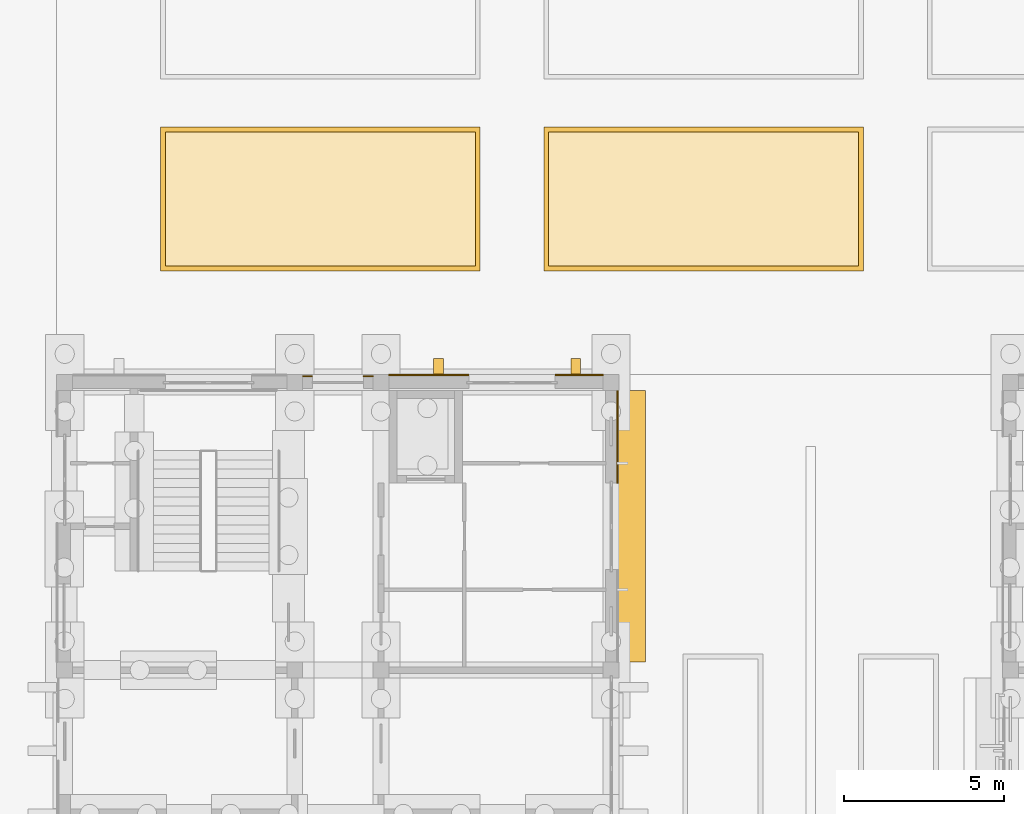
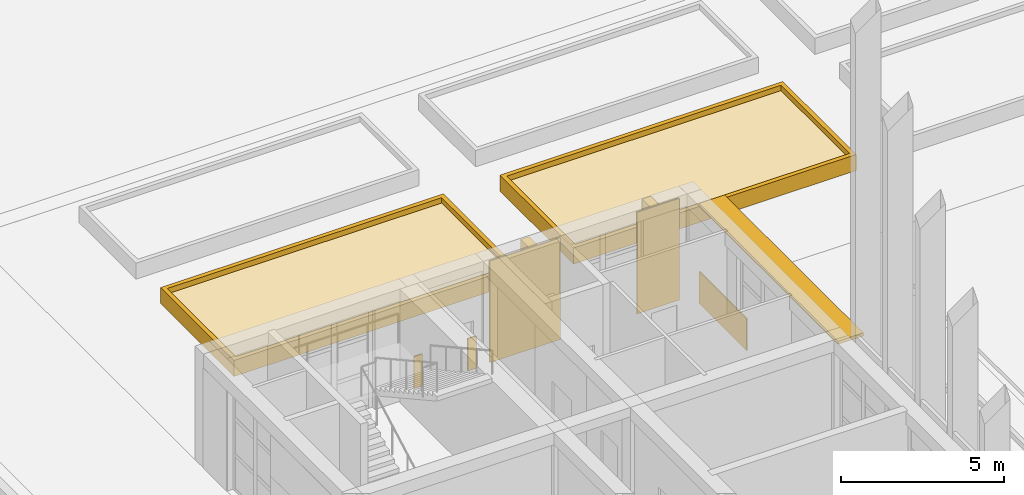
# One storey, part 115 of 161: 11 coverings, 1 shading device.
"""IFC4 building model written with IfcOpenShell, lengths in metres."""

from ifc_helpers import new_model, si_unit, direction, frame, origin, origin_2d, place, context, subcontext, project, spatial, polyline, rectangle, outline, extrude, material, layer, layer_set, type_object, element, save


model = new_model("IFC4")

# Units and contexts
model_context = context("Model", 3, precision=1e-05, world=origin(), true_north=direction((0.0, 1.0)))
body_context = subcontext(model_context, "Body", "Model", "MODEL_VIEW")
ifc_project = project(units=[si_unit("LENGTHUNIT", "METRE"), si_unit("AREAUNIT", "SQUARE_METRE"), si_unit("VOLUMEUNIT", "CUBIC_METRE"), si_unit("PLANEANGLEUNIT", "RADIAN"), si_unit("MASSUNIT", "GRAM", prefix="KILO")], contexts=[model_context])

# Site, building, storey
site_placement = place(None, origin())
site = spatial("IfcSite", under=ifc_project, at=site_placement, CompositionType="ELEMENT")
building_placement = place(site_placement, origin())
building = spatial("IfcBuilding", under=site, at=building_placement, Name="Elbe Cascade School", CompositionType="ELEMENT")
storey_placement = place(building_placement, origin())
storey = spatial("IfcBuildingStorey", under=building, at=storey_placement, Name="L00", CompositionType="ELEMENT", Elevation=0.0)

# Shading device
ifc_material_1 = material(Name="Precast concrete C30/37", Category="concrete")
ifc_layer_1 = layer(ifc_material_1, 0.1201171875)
ifc_layer_set_1 = layer_set([ifc_layer_1], Name="Precast concrete C30/37")
shading_device_type = type_object("IfcShadingDeviceType", Name="Bars envelope Chhajja eave, precast concrete, 900 x 120", PredefinedType="USERDEFINED", material=ifc_layer_set_1)
shading_device_placement = place(storey_placement, frame((86.72998046875, 55.5, 3.6298828125), z_axis=(0.0, 0.0, 1.0), x_axis=(0.0, 1.0, 0.0)))
element("IfcShadingDevice", 1, at=shading_device_placement, inside=storey, type_object=shading_device_type, Name="Chhajja eave SD2 A.L00.e6", ObjectType="CHHAJJA", PredefinedType="USERDEFINED", context=body_context, shape_type="SweptSolid", body=[
    extrude(rectangle(XDim=8.5, YDim=0.89990234375, at=origin_2d()), origin(), (0.0, 0.0, 1.0), 0.1201171875),
])

# Coverings
ifc_material_2 = material(Name="Precast concrete C40/50", Category="concrete")
covering_type_1 = type_object("IfcCoveringType", Name="Bars envelope Precast concrete gable fin, 300 wide, 500 deep", PredefinedType="CLADDING", material=ifc_material_2)
for number, where, z_axis, x_axis, name in (
    (2, (80.699951171875, 60.510009765625, 0.0), (0.0, 0.0, 1.0), (1.0, 0.0, 0.0), "Fin CV50 A.L00.n.2"),
    (3, (85.0, 60.510009765625, 0.0), (0.0, 0.0, 1.0), (1.0, 0.0, 0.0), "Fin CV50 A.L00.n.3"),
):
    element("IfcCovering", number, at=place(storey_placement, frame(where, z_axis=z_axis, x_axis=x_axis)), inside=storey, type_object=covering_type_1, Name=name, PredefinedType="CLADDING", context=body_context, shape_type="SweptSolid", body=[
        extrude(rectangle(XDim=0.300048828125, YDim=0.5, at=origin_2d()), origin(), (0.0, 0.0, 1.0), 3.800048828125),
    ])
ifc_material_3 = material(Name="Sandstone - red", Category="masonry")
ifc_layer_2 = layer(ifc_material_3, 0.0400390625)
ifc_layer_set_2 = layer_set([ifc_layer_2], Name="Sandstone - red")
covering_type_2 = type_object("IfcCoveringType", Name="Bars envelope Sandstone cladding, red, 40 mm", PredefinedType="CLADDING", material=ifc_layer_set_2)
covering_1_placement = place(storey_placement, frame((86.300048828125, 58.300048828125, 0.0), z_axis=(0.0, 0.0, 1.0), x_axis=(0.0, 1.0, 0.0)))
element("IfcCovering", 4, at=covering_1_placement, inside=storey, type_object=covering_type_2, Name="Sandstone cladding CV48 A.L00.e.6b.1", PredefinedType="CLADDING", context=body_context, shape_type="SweptSolid", body=[
    extrude(rectangle(XDim=2.89990234375, YDim=0.0400390625, at=origin_2d()), origin(), (0.0, 0.0, 1.0), 1.199951171875),
])
for number, where, z_axis, x_axis, name in (
    (5, (76.60009765625, 60.199951171875, 0.0), (0.0, 0.0, 1.0), (1.0, 0.0, 0.0), "Sandstone cladding CV48 A.L00.n.2.1"),
    (6, (78.5, 60.199951171875, 0.0), (0.0, 0.0, 1.0), (1.0, 0.0, 0.0), "Sandstone cladding CV48 A.L00.n.2.2"),
):
    element("IfcCovering", number, at=place(storey_placement, frame(where, z_axis=z_axis, x_axis=x_axis)), inside=storey, type_object=covering_type_2, Name=name, PredefinedType="CLADDING", context=body_context, shape_type="SweptSolid", body=[
        extrude(rectangle(XDim=0.300048828125, YDim=0.0400390625, at=origin_2d()), origin(), (0.0, 0.0, 1.0), 1.199951171875),
    ])
covering_2_placement = place(storey_placement, frame((80.39990234375, 60.239990234375, 0.0), z_axis=(0.0, 0.0, 1.0), x_axis=(1.0, 0.0, 0.0)))
element("IfcCovering", 7, at=covering_2_placement, inside=storey, type_object=covering_type_2, Name="Sandstone cladding CV48 A.L00.n.3a.1", PredefinedType="CLADDING", context=body_context, shape_type="SweptSolid", body=[
    extrude(rectangle(XDim=2.5, YDim=0.0400390625, at=origin_2d()), origin(), (0.0, 0.0, 1.0), 3.800048828125),
])
covering_3_placement = place(storey_placement, frame((85.10009765625, 60.239990234375, 0.0), z_axis=(0.0, 0.0, 1.0), x_axis=(1.0, 0.0, 0.0)))
element("IfcCovering", 8, at=covering_3_placement, inside=storey, type_object=covering_type_2, Name="Sandstone cladding CV48 A.L00.n.3b.1", PredefinedType="CLADDING", context=body_context, shape_type="SweptSolid", body=[
    extrude(rectangle(XDim=1.5, YDim=0.0400390625, at=origin_2d()), origin(), (0.0, 0.0, 1.0), 3.800048828125),
])
ifc_material_4 = material(Name="Planting - soil and shrubs", Category="soil")
ifc_layer_3 = layer(ifc_material_4, 0.39990234375)
ifc_layer_set_3 = layer_set([ifc_layer_3], Name="Planting - soil and shrubs")
covering_type_3 = type_object("IfcCoveringType", Name="Site planting bed 400", PredefinedType="USERDEFINED", material=ifc_layer_set_3)
covering_4_placement = place(storey_placement, origin())
element("IfcCovering", 9, at=covering_4_placement, inside=storey, type_object=covering_type_3, Name="Deck planting bed north a.1", ObjectType="PLANTING BED", PredefinedType="USERDEFINED", context=body_context, shape_type="SweptSolid", body=[
    extrude(outline(polyline([(72.14990234375, 63.64990234375), (81.85009765625, 63.64990234375), (81.85009765625, 67.85009765625), (72.14990234375, 67.85009765625), (72.14990234375, 63.64990234375)])), origin(), (0.0, 0.0, 1.0), 0.39990234375),
])
covering_5_placement = place(storey_placement, origin())
element("IfcCovering", 10, at=covering_5_placement, inside=storey, type_object=covering_type_3, Name="Deck planting bed north a.2", ObjectType="PLANTING BED", PredefinedType="USERDEFINED", context=body_context, shape_type="SweptSolid", body=[
    extrude(outline(polyline([(84.14990234375, 63.64990234375), (93.85009765625, 63.64990234375), (93.85009765625, 67.85009765625), (84.14990234375, 67.85009765625), (84.14990234375, 63.64990234375)])), origin(), (0.0, 0.0, 1.0), 0.39990234375),
])
ifc_material_5 = material(Name="Concrete C30/37 precast kerb", Category="concrete")
ifc_layer_4 = layer(ifc_material_5, 0.14990234375)
ifc_layer_set_4 = layer_set([ifc_layer_4], Name="Concrete C30/37 precast kerb")
covering_type_4 = type_object("IfcCoveringType", Name="Site planting bed kerb 150x600", PredefinedType="CLADDING", material=ifc_layer_set_4)
covering_6_placement = place(storey_placement, origin())
element("IfcCovering", 11, at=covering_6_placement, inside=storey, type_object=covering_type_4, Name="Deck planting bed kerb north a.1", PredefinedType="CLADDING", context=body_context, shape_type="SweptSolid", body=[
    extrude(outline(polyline([(72.0, 63.5), (82.0, 63.5), (82.0, 68.0), (72.0, 68.0), (72.0, 63.5)]), holes=[polyline([(72.14990234375, 63.64990234375), (81.85009765625, 63.64990234375), (81.85009765625, 67.85009765625), (72.14990234375, 67.85009765625), (72.14990234375, 63.64990234375)])]), origin(), (0.0, 0.0, 1.0), 0.60009765625),
])
covering_7_placement = place(storey_placement, origin())
element("IfcCovering", 12, at=covering_7_placement, inside=storey, type_object=covering_type_4, Name="Deck planting bed kerb north a.2", PredefinedType="CLADDING", context=body_context, shape_type="SweptSolid", body=[
    extrude(outline(polyline([(84.0, 63.5), (94.0, 63.5), (94.0, 68.0), (84.0, 68.0), (84.0, 63.5)]), holes=[polyline([(84.14990234375, 63.64990234375), (93.85009765625, 63.64990234375), (93.85009765625, 67.85009765625), (84.14990234375, 67.85009765625), (84.14990234375, 63.64990234375)])]), origin(), (0.0, 0.0, 1.0), 0.60009765625),
])

save(model, "model.ifc")
